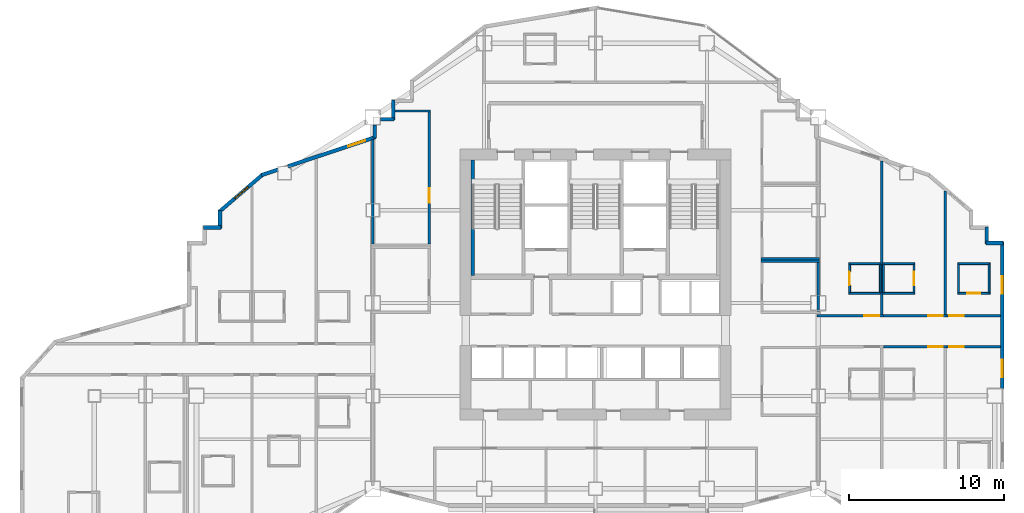
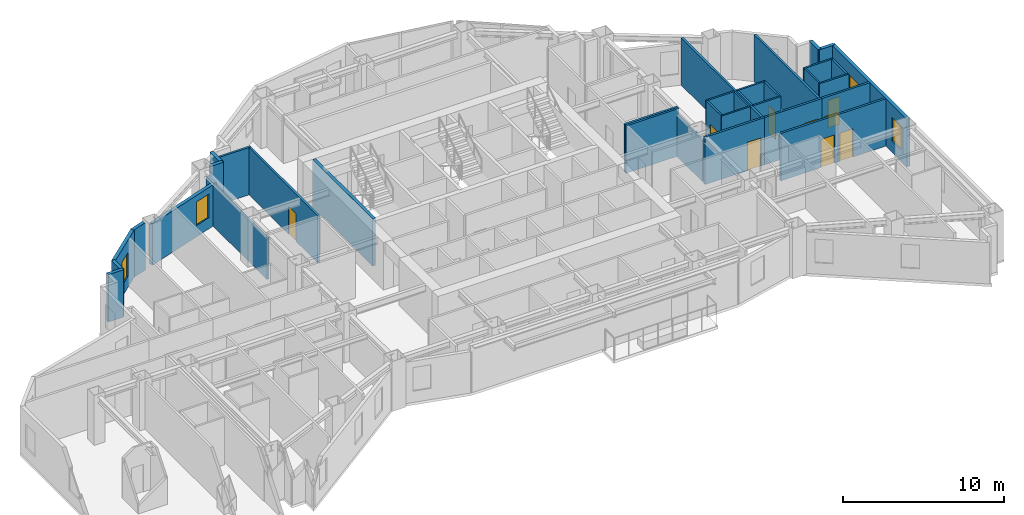
# One storey, part 11 of 15: 37 walls, 9 doors, 4 windows, 13 openings.
"""IFC4 building model written with IfcOpenShell, lengths in metres."""

from ifc_helpers import new_model, si_unit, direction, frame, frame_2d, origin, place, context, subcontext, project, spatial, rectangle, extrude, material, layer, layer_set, type_object, element, fill, save


model = new_model("IFC4")

# Units and contexts
model_context = context("Model", 3, precision=1e-05, world=origin(), true_north=direction((0.0, 1.0)))
body_context = subcontext(model_context, "Body", "Model", "MODEL_VIEW")
ifc_project = project(units=[si_unit("LENGTHUNIT", "METRE"), si_unit("AREAUNIT", "SQUARE_METRE"), si_unit("VOLUMEUNIT", "CUBIC_METRE"), si_unit("PLANEANGLEUNIT", "RADIAN"), si_unit("MASSUNIT", "GRAM", prefix="KILO")], contexts=[model_context])

# Site, building, storey
site_placement = place(None, origin())
site = spatial("IfcSite", under=ifc_project, at=site_placement, CompositionType="ELEMENT")
building_placement = place(site_placement, origin())
building = spatial("IfcBuilding", under=site, at=building_placement, Name="Haolan Belvedere Tower", CompositionType="ELEMENT")
storey_placement = place(building_placement, frame((0.0, 0.0, 152.39990234375)))
storey = spatial("IfcBuildingStorey", under=building, at=storey_placement, Name="L38", CompositionType="ELEMENT", Elevation=152.39990234375)

# Wall, openings, windows
ifc_material_1 = material(Name="Precast concrete C40/50", Category="concrete")
ifc_layer_1 = layer(ifc_material_1, 0.239990234375, Name="Precast concrete C40/50")
ifc_layer_set_1 = layer_set([ifc_layer_1], Name="Precast concrete C40/50")
wall_type_1 = type_object("IfcWallType", Name="WL-EXT-240", PredefinedType="SOLIDWALL", material=ifc_layer_set_1)
wall_1_placement = place(storey_placement, frame((64.679931640625, 28.092041015625, 0.0), z_axis=(0.0, 0.0, 1.0), x_axis=(0.0, 1.0, 0.0)))
wall_1 = element("IfcWall", 1, at=wall_1_placement, inside=storey, type_object=wall_type_1, Name="L38 pale-metal exterior spandrel wall 14.2", PredefinedType="SOLIDWALL", context=body_context, shape_type="SweptSolid", body=[
    extrude(rectangle(XDim=9.44287109375, YDim=0.239990234375, at=frame_2d((4.721435546875, 0.0))), origin(), (0.0, 0.0, 1.0), 3.60009765625),
])
opening_1_placement = place(wall_1_placement, frame((0.699951171875, 0.0, 0.85009765625)))
opening_1 = element("IfcOpeningElement", 2, at=opening_1_placement, cuts=wall_1, Name="Opening W-02", PredefinedType="OPENING", context=body_context, shape_type="SweptSolid", body=[
    extrude(rectangle(XDim=1.14990234375, YDim=1.800048828125, at=frame_2d((0.574951171875, 0.89990234375))), frame((0.0, 0.1298828125, 0.0), z_axis=(0.0, -1.0, 0.0), x_axis=(1.0, 0.0, 0.0)), (0.0, 0.0, 1.0), 0.260009765625),
])
opening_2_placement = place(wall_1_placement, frame((6.10009765625, 0.0, 0.85009765625)))
opening_2 = element("IfcOpeningElement", 3, at=opening_2_placement, cuts=wall_1, Name="Opening W-02", PredefinedType="OPENING", context=body_context, shape_type="SweptSolid", body=[
    extrude(rectangle(XDim=1.14990234375, YDim=1.800048828125, at=frame_2d((0.574951171875, 0.89990234375))), frame((0.0, 0.1298828125, 0.0), z_axis=(0.0, -1.0, 0.0), x_axis=(1.0, 0.0, 0.0)), (0.0, 0.0, 1.0), 0.260009765625),
])
ifc_material_2 = material(Name="Anodised aluminium 6063-T6 and Low-E glass", Category="aluminium")
window_type = type_object("IfcWindowType", Name="WN-DECO-Z2", PartitioningType="SINGLE_PANEL", PredefinedType="WINDOW", material=ifc_material_2)
window_1_placement = place(opening_1_placement, origin())
window_1 = element("IfcWindow", 4, at=window_1_placement, inside=storey, type_object=window_type, Name="L38 Art Deco chevron window 1", OverallHeight=1.800048828125, OverallWidth=1.14990234375, PartitioningType="SINGLE_PANEL", PredefinedType="WINDOW", context=body_context, shape_type="SweptSolid", body=[
    extrude(rectangle(XDim=1.14990234375, YDim=1.800048828125, at=frame_2d((0.574951171875, 0.89990234375))), frame((0.0, 0.030029296875, 0.0), z_axis=(0.0, -1.0, 0.0), x_axis=(1.0, 0.0, 0.0)), (0.0, 0.0, 1.0), 0.06005859375),
])
fill(opening_1, window_1)
window_2_placement = place(opening_2_placement, origin())
window_2 = element("IfcWindow", 5, at=window_2_placement, inside=storey, type_object=window_type, Name="L38 Art Deco chevron window 2", OverallHeight=1.800048828125, OverallWidth=1.14990234375, PartitioningType="SINGLE_PANEL", PredefinedType="WINDOW", context=body_context, shape_type="SweptSolid", body=[
    extrude(rectangle(XDim=1.14990234375, YDim=1.800048828125, at=frame_2d((0.574951171875, 0.89990234375))), frame((0.0, 0.030029296875, 0.0), z_axis=(0.0, -1.0, 0.0), x_axis=(1.0, 0.0, 0.0)), (0.0, 0.0, 1.0), 0.06005859375),
])
fill(opening_2, window_2)

# Walls
wall_2_placement = place(storey_placement, frame((64.735107421875, 37.47998046875, 0.0), z_axis=(0.0, 0.0, 1.0), x_axis=(-1.0, 0.0, 0.0)))
element("IfcWall", 6, at=wall_2_placement, inside=storey, type_object=wall_type_1, Name="L38 pale-metal exterior spandrel wall 15.1", PredefinedType="SOLIDWALL", context=body_context, shape_type="SweptSolid", body=[
    extrude(rectangle(XDim=1.110107421875, YDim=0.239990234375, at=frame_2d((0.55517578125, 0.0))), origin(), (0.0, 0.0, 1.0), 3.60009765625),
])
wall_3_placement = place(storey_placement, frame((63.679931640625, 37.425048828125, 0.0), z_axis=(0.0, 0.0, 1.0), x_axis=(0.0, 1.0, 0.0)))
element("IfcWall", 7, at=wall_3_placement, inside=storey, type_object=wall_type_1, Name="L38 pale-metal exterior spandrel wall 16.1", PredefinedType="SOLIDWALL", context=body_context, shape_type="SweptSolid", body=[
    extrude(rectangle(XDim=1.10986328125, YDim=0.239990234375, at=frame_2d((0.554931640625, 0.0))), origin(), (0.0, 0.0, 1.0), 3.60009765625),
])
wall_4_placement = place(storey_placement, frame((25.320068359375, 46.735107421875, 0.0), z_axis=(0.0, 0.0, 1.0), x_axis=(0.0, -1.0, 0.0)))
element("IfcWall", 8, at=wall_4_placement, inside=storey, type_object=wall_type_1, Name="L38 pale-metal exterior spandrel wall 32.1", PredefinedType="SOLIDWALL", context=body_context, shape_type="SweptSolid", body=[
    extrude(rectangle(XDim=1.31005859375, YDim=0.239990234375, at=frame_2d((0.655029296875, 0.0))), origin(), (0.0, 0.0, 1.0), 3.60009765625),
])
wall_5_placement = place(storey_placement, frame((25.375, 45.47998046875, 0.0), z_axis=(0.0, 0.0, 1.0), x_axis=(-1.0, 0.0, 0.0)))
element("IfcWall", 9, at=wall_5_placement, inside=storey, type_object=wall_type_1, Name="L38 pale-metal exterior spandrel wall 33.1", PredefinedType="SOLIDWALL", context=body_context, shape_type="SweptSolid", body=[
    extrude(rectangle(XDim=0.883056640625, YDim=0.239990234375, at=frame_2d((0.44140625, 0.0))), origin(), (0.0, 0.0, 1.0), 3.60009765625),
])
wall_6_placement = place(storey_placement, frame((24.1201171875, 45.10791015625, 0.0), z_axis=(0.0, 0.0, 1.0), x_axis=(0.0, -1.0, 0.0)))
element("IfcWall", 10, at=wall_6_placement, inside=storey, type_object=wall_type_1, Name="L38 pale-metal exterior spandrel wall 34.1", PredefinedType="SOLIDWALL", context=body_context, shape_type="SweptSolid", body=[
    extrude(rectangle(XDim=0.849365234375, YDim=0.239990234375, at=frame_2d((0.4248046875, 0.0))), origin(), (0.0, 0.0, 1.0), 3.14501953125),
])

# Wall, opening, window
wall_7_placement = place(storey_placement, frame((24.172119140625, 44.330810546875, 0.0), z_axis=(0.0, 0.0, 1.0), x_axis=(-0.948683298051, -0.316227766017, 0.0)))
wall_7 = element("IfcWall", 11, at=wall_7_placement, inside=storey, type_object=wall_type_1, Name="L38 pale-metal exterior spandrel wall 35.1", PredefinedType="SOLIDWALL", context=body_context, shape_type="SweptSolid", body=[
    extrude(rectangle(XDim=5.973388671875, YDim=0.239990234375, at=frame_2d((2.98681640625, 0.0))), origin(), (0.0, 0.0, 1.0), 3.14501953125),
])
opening_3_placement = place(wall_7_placement, frame((0.699951171875, 0.0, 0.85009765625)))
opening_3 = element("IfcOpeningElement", 12, at=opening_3_placement, cuts=wall_7, Name="Opening W-02", PredefinedType="OPENING", context=body_context, shape_type="SweptSolid", body=[
    extrude(rectangle(XDim=1.14990234375, YDim=1.800048828125, at=frame_2d((0.574951171875, 0.89990234375))), frame((0.0, 0.1298828125, 0.0), z_axis=(0.0, -1.0, 0.0), x_axis=(1.0, 0.0, 0.0)), (0.0, 0.0, 1.0), 0.260009765625),
])
window_3_placement = place(opening_3_placement, origin())
window_3 = element("IfcWindow", 13, at=window_3_placement, inside=storey, type_object=window_type, Name="L38 Art Deco chevron window 1", OverallHeight=1.800048828125, OverallWidth=1.14990234375, PartitioningType="SINGLE_PANEL", PredefinedType="WINDOW", context=body_context, shape_type="SweptSolid", body=[
    extrude(rectangle(XDim=1.14990234375, YDim=1.800048828125, at=frame_2d((0.574951171875, 0.89990234375))), frame((0.0, 0.030029296875, 0.0), z_axis=(0.0, -1.0, 0.0), x_axis=(1.0, 0.0, 0.0)), (0.0, 0.0, 1.0), 0.06005859375),
])
fill(opening_3, window_3)

# Wall
wall_8_placement = place(storey_placement, frame((17.85791015625, 42.226318359375, 0.0), z_axis=(0.0, 0.0, 1.0), x_axis=(-0.948639166064, -0.316360131194, 0.0)))
element("IfcWall", 14, at=wall_8_placement, inside=storey, type_object=wall_type_1, Name="L38 pale-metal exterior spandrel wall 35.2", PredefinedType="SOLIDWALL", context=body_context, shape_type="SweptSolid", body=[
    extrude(rectangle(XDim=1.106689453125, YDim=0.239990234375, at=frame_2d((0.55322265625, 0.0))), origin(), (0.0, 0.0, 1.0), 3.60009765625),
])

# Wall, opening, window
wall_9_placement = place(storey_placement, frame((16.902099609375, 41.929443359375, 0.0), z_axis=(0.0, 0.0, 1.0), x_axis=(-0.759275136126, -0.650769750112, 0.0)))
wall_9 = element("IfcWall", 15, at=wall_9_placement, inside=storey, type_object=wall_type_1, Name="L38 pale-metal exterior spandrel wall 36.1", PredefinedType="SOLIDWALL", context=body_context, shape_type="SweptSolid", body=[
    extrude(rectangle(XDim=3.71923828125, YDim=0.239990234375, at=frame_2d((1.859619140625, 0.0))), origin(), (0.0, 0.0, 1.0), 3.60009765625),
])
opening_4_placement = place(wall_9_placement, frame((1.2626953125, 0.0, 0.85009765625)))
opening_4 = element("IfcOpeningElement", 16, at=opening_4_placement, cuts=wall_9, Name="Opening W-02", PredefinedType="OPENING", context=body_context, shape_type="SweptSolid", body=[
    extrude(rectangle(XDim=1.14990234375, YDim=1.800048828125, at=frame_2d((0.574951171875, 0.89990234375))), frame((0.0, 0.1298828125, 0.0), z_axis=(0.0, -1.0, 0.0), x_axis=(1.0, 0.0, 0.0)), (0.0, 0.0, 1.0), 0.260009765625),
])
window_4_placement = place(opening_4_placement, origin())
window_4 = element("IfcWindow", 17, at=window_4_placement, inside=storey, type_object=window_type, Name="L38 Art Deco chevron window 1", OverallHeight=1.800048828125, OverallWidth=1.14990234375, PartitioningType="SINGLE_PANEL", PredefinedType="WINDOW", context=body_context, shape_type="SweptSolid", body=[
    extrude(rectangle(XDim=1.14990234375, YDim=1.800048828125, at=frame_2d((0.574951171875, 0.89990234375))), frame((0.0, 0.030029296875, 0.0), z_axis=(0.0, -1.0, 0.0), x_axis=(1.0, 0.0, 0.0)), (0.0, 0.0, 1.0), 0.06005859375),
])
fill(opening_4, window_4)

# Walls
wall_10_placement = place(storey_placement, frame((14.1201171875, 39.599853515625, 0.0), z_axis=(0.0, 0.0, 1.0), x_axis=(0.0, -1.0, 0.0)))
element("IfcWall", 18, at=wall_10_placement, inside=storey, type_object=wall_type_1, Name="L38 pale-metal exterior spandrel wall 37.1", PredefinedType="SOLIDWALL", context=body_context, shape_type="SweptSolid", body=[
    extrude(rectangle(XDim=1.1748046875, YDim=0.239990234375, at=frame_2d((0.58740234375, 0.0))), origin(), (0.0, 0.0, 1.0), 3.60009765625),
])
wall_11_placement = place(storey_placement, frame((14.175048828125, 38.47998046875, 0.0), z_axis=(0.0, 0.0, 1.0), x_axis=(-1.0, 0.0, 0.0)))
element("IfcWall", 19, at=wall_11_placement, inside=storey, type_object=wall_type_1, Name="L38 pale-metal exterior spandrel wall 38.1", PredefinedType="SOLIDWALL", context=body_context, shape_type="SweptSolid", body=[
    extrude(rectangle(XDim=1.110107421875, YDim=0.239990234375, at=frame_2d((0.55517578125, 0.0))), origin(), (0.0, 0.0, 1.0), 3.60009765625),
])
ifc_material_3 = material(Name="Double gypsum acoustic stud partition", Category="masonry")
ifc_layer_2 = layer(ifc_material_3, 0.14990234375, Name="Double gypsum acoustic stud partition")
ifc_layer_set_2 = layer_set([ifc_layer_2], Name="Double gypsum acoustic stud partition")
wall_type_2 = type_object("IfcWallType", Name="WL-PART-150", PredefinedType="PARTITIONING", material=ifc_layer_set_2)
wall_12_placement = place(storey_placement, frame((25.425048828125, 46.02001953125, 0.0), z_axis=(0.0, 0.0, 1.0), x_axis=(1.0, 0.0, 0.0)))
element("IfcWall", 20, at=wall_12_placement, inside=storey, type_object=wall_type_2, Name="L38 interior partition IW-L38-MTG-N", PredefinedType="PARTITIONING", context=body_context, shape_type="SweptSolid", body=[
    extrude(rectangle(XDim=2.294921875, YDim=0.14990234375, at=frame_2d((1.1474609375, 0.0))), origin(), (0.0, 0.0, 1.0), 3.60009765625),
])
wall_13_placement = place(storey_placement, frame((24.0, 37.419921875, 0.0), z_axis=(0.0, 0.0, 1.0), x_axis=(0.0, 1.0, 0.0)))
element("IfcWall", 21, at=wall_13_placement, inside=storey, type_object=wall_type_2, Name="L38 interior partition IW-L38-MTG-W", PredefinedType="PARTITIONING", context=body_context, shape_type="SweptSolid", body=[
    extrude(rectangle(XDim=6.742919921875, YDim=0.14990234375, at=frame_2d((3.37158203125, 0.0))), origin(), (0.0, 0.0, 1.0), 3.14501953125),
])

# Wall, opening, door
wall_14_placement = place(storey_placement, frame((27.639892578125, 37.419921875, 0.0), z_axis=(0.0, 0.0, 1.0), x_axis=(0.0, 1.0, 0.0)))
wall_14 = element("IfcWall", 22, at=wall_14_placement, inside=storey, type_object=wall_type_2, Name="L38 interior partition IW-L38-MTG-E", PredefinedType="PARTITIONING", context=body_context, shape_type="SweptSolid", body=[
    extrude(rectangle(XDim=8.5400390625, YDim=0.14990234375, at=frame_2d((4.27001953125, 0.0))), origin(), (0.0, 0.0, 1.0), 3.60009765625),
])
opening_5_placement = place(wall_14_placement, frame((3.60986328125, 0.0, 0.0), z_axis=(0.0, 0.0, 1.0), x_axis=(-1.0, 0.0, 0.0)))
opening_5 = element("IfcOpeningElement", 23, at=opening_5_placement, cuts=wall_14, Name="Opening ID-03", PredefinedType="OPENING", context=body_context, shape_type="SweptSolid", body=[
    extrude(rectangle(XDim=0.949951171875, YDim=2.1201171875, at=frame_2d((0.47509765625, 1.06005859375))), frame((0.0, 0.0849609375, 0.0), z_axis=(0.0, -1.0, 0.0), x_axis=(1.0, 0.0, 0.0)), (0.0, 0.0, 1.0), 0.169921875),
])
ifc_material_4 = material(Name="Painted solid-core timber", Category="wood")
door_type_1 = type_object("IfcDoorType", Name="DR-INT-950", OperationType="NOTDEFINED", PredefinedType="DOOR", material=ifc_material_4)
door_1_placement = place(opening_5_placement, origin())
door_1 = element("IfcDoor", 24, at=door_1_placement, inside=storey, type_object=door_type_1, Name="L38 door ID-L38-MTG", OperationType="SINGLE_SWING_RIGHT", OverallHeight=2.1201171875, OverallWidth=0.949951171875, PredefinedType="DOOR", context=body_context, shape_type="SweptSolid", body=[
    extrude(rectangle(XDim=0.949951171875, YDim=2.1201171875, at=frame_2d((0.47509765625, 1.06005859375))), frame((0.0, 0.02490234375, 0.0), z_axis=(0.0, -1.0, 0.0), x_axis=(1.0, 0.0, 0.0)), (0.0, 0.0, 1.0), 0.050048828125),
])
fill(opening_5, door_1)

# Walls
wall_15_placement = place(storey_placement, frame((49.080078125, 36.300048828125, 0.0), z_axis=(0.0, 0.0, 1.0), x_axis=(1.0, 0.0, 0.0)))
element("IfcWall", 25, at=wall_15_placement, inside=storey, type_object=wall_type_2, Name="L38 interior partition IW-L38-AWC-N", PredefinedType="PARTITIONING", context=body_context, shape_type="SweptSolid", body=[
    extrude(rectangle(XDim=3.7998046875, YDim=0.14990234375, at=frame_2d((1.89990234375, 0.0))), origin(), (0.0, 0.0, 1.0), 3.60009765625),
])
wall_16_placement = place(storey_placement, frame((52.800048828125, 33.06005859375, 0.0), z_axis=(0.0, 0.0, 1.0), x_axis=(0.0, 1.0, 0.0)))
element("IfcWall", 26, at=wall_16_placement, inside=storey, type_object=wall_type_2, Name="L38 interior partition IW-L38-AWC-E", PredefinedType="PARTITIONING", context=body_context, shape_type="SweptSolid", body=[
    extrude(rectangle(XDim=3.179931640625, YDim=0.14990234375, at=frame_2d((1.58984375, 0.0))), origin(), (0.0, 0.0, 1.0), 3.14501953125),
])
wall_17_placement = place(storey_placement, frame((49.080078125, 36.4599609375, 0.0), z_axis=(0.0, 0.0, 1.0), x_axis=(1.0, 0.0, 0.0)))
element("IfcWall", 27, at=wall_17_placement, inside=storey, type_object=wall_type_2, Name="L38 interior partition IW-L38-STY-S", PredefinedType="PARTITIONING", context=body_context, shape_type="SweptSolid", body=[
    extrude(rectangle(XDim=3.7998046875, YDim=0.14990234375, at=frame_2d((1.89990234375, 0.0))), origin(), (0.0, 0.0, 1.0), 3.60009765625),
])

# Wall, opening, door
wall_18_placement = place(storey_placement, frame((52.699951171875, 32.780029296875, 0.0), z_axis=(0.0, 0.0, 1.0), x_axis=(1.0, 0.0, 0.0)))
wall_18 = element("IfcWall", 28, at=wall_18_placement, inside=storey, type_object=wall_type_2, Name="L38 interior partition IW-L38-T4N1-S", PredefinedType="PARTITIONING", context=body_context, shape_type="SweptSolid", body=[
    extrude(rectangle(XDim=4.300048828125, YDim=0.14990234375, at=frame_2d((2.14990234375, 0.0))), origin(), (0.0, 0.0, 1.0), 3.60009765625),
])
opening_6_placement = place(wall_18_placement, frame((3.081787109375, 0.0, 0.0)))
opening_6 = element("IfcOpeningElement", 29, at=opening_6_placement, cuts=wall_18, Name="Opening ID-02", PredefinedType="OPENING", context=body_context, shape_type="SweptSolid", body=[
    extrude(rectangle(XDim=0.949951171875, YDim=2.14990234375, at=frame_2d((0.47509765625, 1.074951171875))), frame((0.0, 0.0849609375, 0.0), z_axis=(0.0, -1.0, 0.0), x_axis=(1.0, 0.0, 0.0)), (0.0, 0.0, 1.0), 0.169921875),
])
ifc_material_5 = material(Name="Acoustic oak veneer fire-rated timber", Category="wood")
door_type_2 = type_object("IfcDoorType", Name="DR-GUEST-950", OperationType="NOTDEFINED", PredefinedType="DOOR", material=ifc_material_5)
door_2_placement = place(opening_6_placement, origin())
door_2 = element("IfcDoor", 30, at=door_2_placement, inside=storey, type_object=door_type_2, Name="L38 door ID-L38-T4N1-ENT", OperationType="SINGLE_SWING_RIGHT", OverallHeight=2.14990234375, OverallWidth=0.949951171875, PredefinedType="DOOR", context=body_context, shape_type="SweptSolid", body=[
    extrude(rectangle(XDim=0.949951171875, YDim=2.14990234375, at=frame_2d((0.47509765625, 1.074951171875))), frame((0.0, 0.02490234375, 0.0), z_axis=(0.0, -1.0, 0.0), x_axis=(1.0, 0.0, 0.0)), (0.0, 0.0, 1.0), 0.050048828125),
])
fill(opening_6, door_2)

# Wall
wall_19_placement = place(storey_placement, frame((56.89990234375, 32.840087890625, 0.0), z_axis=(0.0, 0.0, 1.0), x_axis=(0.0, 1.0, 0.0)))
element("IfcWall", 31, at=wall_19_placement, inside=storey, type_object=wall_type_2, Name="L38 interior partition IW-L38-T4N1-E", PredefinedType="PARTITIONING", context=body_context, shape_type="SweptSolid", body=[
    extrude(rectangle(XDim=9.9560546875, YDim=0.14990234375, at=frame_2d((4.97802734375, 0.0))), origin(), (0.0, 0.0, 1.0), 3.60009765625),
])

# Wall, opening, door
wall_20_placement = place(storey_placement, frame((57.001953125, 32.780029296875, 0.0), z_axis=(0.0, 0.0, 1.0), x_axis=(1.0, 0.0, 0.0)))
wall_20 = element("IfcWall", 32, at=wall_20_placement, inside=storey, type_object=wall_type_2, Name="L38 interior partition IW-L38-T4N2-S", PredefinedType="PARTITIONING", context=body_context, shape_type="SweptSolid", body=[
    extrude(rectangle(XDim=4.108154296875, YDim=0.14990234375, at=frame_2d((2.05419921875, 0.0))), origin(), (0.0, 0.0, 1.0), 3.60009765625),
])
opening_7_placement = place(wall_20_placement, frame((2.896484375, 0.0, 0.0)))
opening_7 = element("IfcOpeningElement", 33, at=opening_7_placement, cuts=wall_20, Name="Opening ID-02", PredefinedType="OPENING", context=body_context, shape_type="SweptSolid", body=[
    extrude(rectangle(XDim=0.949951171875, YDim=2.14990234375, at=frame_2d((0.47509765625, 1.074951171875))), frame((0.0, 0.0849609375, 0.0), z_axis=(0.0, -1.0, 0.0), x_axis=(1.0, 0.0, 0.0)), (0.0, 0.0, 1.0), 0.169921875),
])
door_3_placement = place(opening_7_placement, origin())
door_3 = element("IfcDoor", 34, at=door_3_placement, inside=storey, type_object=door_type_2, Name="L38 door ID-L38-T4N2-ENT", OperationType="SINGLE_SWING_LEFT", OverallHeight=2.14990234375, OverallWidth=0.949951171875, PredefinedType="DOOR", context=body_context, shape_type="SweptSolid", body=[
    extrude(rectangle(XDim=0.949951171875, YDim=2.14990234375, at=frame_2d((0.47509765625, 1.074951171875))), frame((0.0, 0.02490234375, 0.0), z_axis=(0.0, -1.0, 0.0), x_axis=(1.0, 0.0, 0.0)), (0.0, 0.0, 1.0), 0.050048828125),
])
fill(opening_7, door_3)

# Wall
wall_21_placement = place(storey_placement, frame((61.010009765625, 32.840087890625, 0.0), z_axis=(0.0, 0.0, 1.0), x_axis=(0.0, 1.0, 0.0)))
element("IfcWall", 35, at=wall_21_placement, inside=storey, type_object=wall_type_2, Name="L38 interior partition IW-L38-T4N2-E", PredefinedType="PARTITIONING", context=body_context, shape_type="SweptSolid", body=[
    extrude(rectangle(XDim=7.997802734375, YDim=0.14990234375, at=frame_2d((3.9990234375, 0.0))), origin(), (0.0, 0.0, 1.0), 3.60009765625),
])

# Wall, opening, door
wall_22_placement = place(storey_placement, frame((61.112060546875, 32.780029296875, 0.0), z_axis=(0.0, 0.0, 1.0), x_axis=(1.0, 0.0, 0.0)))
wall_22 = element("IfcWall", 36, at=wall_22_placement, inside=storey, type_object=wall_type_2, Name="L38 interior partition IW-L38-T4N3-S", PredefinedType="PARTITIONING", context=body_context, shape_type="SweptSolid", body=[
    extrude(rectangle(XDim=3.462890625, YDim=0.14990234375, at=frame_2d((1.7314453125, 0.0))), origin(), (0.0, 0.0, 1.0), 3.60009765625),
])
opening_8_placement = place(wall_22_placement, frame((0.139892578125, 0.0, 0.0)))
opening_8 = element("IfcOpeningElement", 37, at=opening_8_placement, cuts=wall_22, Name="Opening ID-02", PredefinedType="OPENING", context=body_context, shape_type="SweptSolid", body=[
    extrude(rectangle(XDim=0.949951171875, YDim=2.14990234375, at=frame_2d((0.47509765625, 1.074951171875))), frame((0.0, 0.0849609375, 0.0), z_axis=(0.0, -1.0, 0.0), x_axis=(1.0, 0.0, 0.0)), (0.0, 0.0, 1.0), 0.169921875),
])
door_4_placement = place(opening_8_placement, origin())
door_4 = element("IfcDoor", 38, at=door_4_placement, inside=storey, type_object=door_type_2, Name="L38 door ID-L38-T4N3-ENT", OperationType="SINGLE_SWING_RIGHT", OverallHeight=2.14990234375, OverallWidth=0.949951171875, PredefinedType="DOOR", context=body_context, shape_type="SweptSolid", body=[
    extrude(rectangle(XDim=0.949951171875, YDim=2.14990234375, at=frame_2d((0.47509765625, 1.074951171875))), frame((0.0, 0.02490234375, 0.0), z_axis=(0.0, -1.0, 0.0), x_axis=(1.0, 0.0, 0.0)), (0.0, 0.0, 1.0), 0.050048828125),
])
fill(opening_8, door_4)

wall_23_placement = place(storey_placement, frame((57.001953125, 30.77001953125, 0.0), z_axis=(0.0, 0.0, 1.0), x_axis=(1.0, 0.0, 0.0)))
wall_23 = element("IfcWall", 39, at=wall_23_placement, inside=storey, type_object=wall_type_2, Name="L38 interior partition IW-L38-T4S2-N", PredefinedType="PARTITIONING", context=body_context, shape_type="SweptSolid", body=[
    extrude(rectangle(XDim=4.108154296875, YDim=0.14990234375, at=frame_2d((2.05419921875, 0.0))), origin(), (0.0, 0.0, 1.0), 3.60009765625),
])
opening_9_placement = place(wall_23_placement, frame((3.846435546875, 0.0, 0.0), z_axis=(0.0, 0.0, 1.0), x_axis=(-1.0, 0.0, 0.0)))
opening_9 = element("IfcOpeningElement", 40, at=opening_9_placement, cuts=wall_23, Name="Opening ID-02", PredefinedType="OPENING", context=body_context, shape_type="SweptSolid", body=[
    extrude(rectangle(XDim=0.949951171875, YDim=2.14990234375, at=frame_2d((0.47509765625, 1.074951171875))), frame((0.0, 0.0849609375, 0.0), z_axis=(0.0, -1.0, 0.0), x_axis=(1.0, 0.0, 0.0)), (0.0, 0.0, 1.0), 0.169921875),
])
door_5_placement = place(opening_9_placement, origin())
door_5 = element("IfcDoor", 41, at=door_5_placement, inside=storey, type_object=door_type_2, Name="L38 door ID-L38-T4S2-ENT", OperationType="SINGLE_SWING_RIGHT", OverallHeight=2.14990234375, OverallWidth=0.949951171875, PredefinedType="DOOR", context=body_context, shape_type="SweptSolid", body=[
    extrude(rectangle(XDim=0.949951171875, YDim=2.14990234375, at=frame_2d((0.47509765625, 1.074951171875))), frame((0.0, 0.02490234375, 0.0), z_axis=(0.0, -1.0, 0.0), x_axis=(1.0, 0.0, 0.0)), (0.0, 0.0, 1.0), 0.050048828125),
])
fill(opening_9, door_5)

wall_24_placement = place(storey_placement, frame((61.112060546875, 30.77001953125, 0.0), z_axis=(0.0, 0.0, 1.0), x_axis=(1.0, 0.0, 0.0)))
wall_24 = element("IfcWall", 42, at=wall_24_placement, inside=storey, type_object=wall_type_2, Name="L38 interior partition IW-L38-T4S3-N", PredefinedType="PARTITIONING", context=body_context, shape_type="SweptSolid", body=[
    extrude(rectangle(XDim=3.462890625, YDim=0.14990234375, at=frame_2d((1.7314453125, 0.0))), origin(), (0.0, 0.0, 1.0), 3.60009765625),
])
opening_10_placement = place(wall_24_placement, frame((1.08984375, 0.0, 0.0), z_axis=(0.0, 0.0, 1.0), x_axis=(-1.0, 0.0, 0.0)))
opening_10 = element("IfcOpeningElement", 43, at=opening_10_placement, cuts=wall_24, Name="Opening ID-02", PredefinedType="OPENING", context=body_context, shape_type="SweptSolid", body=[
    extrude(rectangle(XDim=0.949951171875, YDim=2.14990234375, at=frame_2d((0.47509765625, 1.074951171875))), frame((0.0, 0.0849609375, 0.0), z_axis=(0.0, -1.0, 0.0), x_axis=(1.0, 0.0, 0.0)), (0.0, 0.0, 1.0), 0.169921875),
])
door_6_placement = place(opening_10_placement, origin())
door_6 = element("IfcDoor", 44, at=door_6_placement, inside=storey, type_object=door_type_2, Name="L38 door ID-L38-T4S3-ENT", OperationType="SINGLE_SWING_LEFT", OverallHeight=2.14990234375, OverallWidth=0.949951171875, PredefinedType="DOOR", context=body_context, shape_type="SweptSolid", body=[
    extrude(rectangle(XDim=0.949951171875, YDim=2.14990234375, at=frame_2d((0.47509765625, 1.074951171875))), frame((0.0, 0.02490234375, 0.0), z_axis=(0.0, -1.0, 0.0), x_axis=(1.0, 0.0, 0.0)), (0.0, 0.0, 1.0), 0.050048828125),
])
fill(opening_10, door_6)

# Walls
ifc_material_6 = material(Name="Concrete C50/60", Category="concrete")
ifc_layer_3 = layer(ifc_material_6, 0.219970703125, Name="Concrete C50/60")
ifc_layer_set_3 = layer_set([ifc_layer_3], Name="Concrete C50/60")
wall_type_3 = type_object("IfcWallType", Name="WL-STAIR-220", PredefinedType="SHEAR", material=ifc_layer_set_3)
wall_25_placement = place(storey_placement, frame((30.4619140625, 35.389892578125, 0.0), z_axis=(0.0, 0.0, 1.0), x_axis=(0.0, 1.0, 0.0)))
element("IfcWall", 45, at=wall_25_placement, inside=storey, type_object=wall_type_3, Name="L38 structural stair core wall ST1W", PredefinedType="SHEAR", context=body_context, shape_type="SweptSolid", body=[
    extrude(rectangle(XDim=7.460205078125, YDim=0.219970703125, at=frame_2d((3.72998046875, 0.0))), origin(), (0.0, 0.0, 1.0), 3.60009765625),
])
ifc_material_7 = material(Name="Moisture-resistant gypsum tile partition", Category="masonry")
ifc_layer_4 = layer(ifc_material_7, 0.1201171875, Name="Moisture-resistant gypsum tile partition")
ifc_layer_set_4 = layer_set([ifc_layer_4], Name="Moisture-resistant gypsum tile partition")
wall_type_4 = type_object("IfcWallType", Name="WL-WET-120", PredefinedType="PARTITIONING", material=ifc_layer_set_4)
for number, where, z_axis, x_axis, name in (
    (46, (54.760009765625, 36.14990234375, 0.0), (0.0, 0.0, 1.0), (1.0, 0.0, 0.0), "L38 interior partition IW-L38-T4N1-BN"),
    (47, (54.760009765625, 34.22998046875, 0.0), (0.0, 0.0, 1.0), (1.0, 0.0, 0.0), "L38 interior partition IW-L38-T4N1-BS"),
):
    element("IfcWall", number, at=place(storey_placement, frame(where, z_axis=z_axis, x_axis=x_axis)), inside=storey, type_object=wall_type_4, Name=name, PredefinedType="PARTITIONING", context=body_context, shape_type="SweptSolid", body=[
        extrude(rectangle(XDim=2.080078125, YDim=0.1201171875, at=frame_2d((1.0400390625, 0.0))), origin(), (0.0, 0.0, 1.0), 3.60009765625),
    ])

# Wall, opening, door
wall_26_placement = place(storey_placement, frame((54.820068359375, 34.27490234375, 0.0), z_axis=(0.0, 0.0, 1.0), x_axis=(0.0, 1.0, 0.0)))
wall_26 = element("IfcWall", 48, at=wall_26_placement, inside=storey, type_object=wall_type_4, Name="L38 interior partition IW-L38-T4N1-BW", PredefinedType="PARTITIONING", context=body_context, shape_type="SweptSolid", body=[
    extrude(rectangle(XDim=1.830078125, YDim=0.1201171875, at=frame_2d((0.9150390625, 0.0))), origin(), (0.0, 0.0, 1.0), 3.60009765625),
])
opening_11_placement = place(wall_26_placement, frame((1.340087890625, 0.0, 0.0), z_axis=(0.0, 0.0, 1.0), x_axis=(-1.0, 0.0, 0.0)))
opening_11 = element("IfcOpeningElement", 49, at=opening_11_placement, cuts=wall_26, Name="Opening ID-05", PredefinedType="OPENING", context=body_context, shape_type="SweptSolid", body=[
    extrude(rectangle(XDim=0.85009765625, YDim=2.10009765625, at=frame_2d((0.425048828125, 1.050048828125))), frame((0.0, 0.070068359375, 0.0), z_axis=(0.0, -1.0, 0.0), x_axis=(1.0, 0.0, 0.0)), (0.0, 0.0, 1.0), 0.14013671875),
])
ifc_material_8 = material(Name="Moisture-resistant lacquered timber", Category="wood")
door_type_3 = type_object("IfcDoorType", Name="DR-BATH-850", OperationType="NOTDEFINED", PredefinedType="DOOR", material=ifc_material_8)
door_7_placement = place(opening_11_placement, origin())
door_7 = element("IfcDoor", 50, at=door_7_placement, inside=storey, type_object=door_type_3, Name="L38 door ID-L38-T4N1-BATH", OperationType="SINGLE_SWING_LEFT", OverallHeight=2.10009765625, OverallWidth=0.85009765625, PredefinedType="DOOR", context=body_context, shape_type="SweptSolid", body=[
    extrude(rectangle(XDim=0.85009765625, YDim=2.10009765625, at=frame_2d((0.425048828125, 1.050048828125))), frame((0.0, 0.02490234375, 0.0), z_axis=(0.0, -1.0, 0.0), x_axis=(1.0, 0.0, 0.0)), (0.0, 0.0, 1.0), 0.050048828125),
])
fill(opening_11, door_7)

# Walls
wall_27_placement = place(storey_placement, frame((56.800048828125, 34.27490234375, 0.0), z_axis=(0.0, 0.0, 1.0), x_axis=(0.0, 1.0, 0.0)))
element("IfcWall", 51, at=wall_27_placement, inside=storey, type_object=wall_type_4, Name="L38 interior partition IW-L38-T4N1-BE", PredefinedType="PARTITIONING", context=body_context, shape_type="SweptSolid", body=[
    extrude(rectangle(XDim=1.830078125, YDim=0.1201171875, at=frame_2d((0.9150390625, 0.0))), origin(), (0.0, 0.0, 1.0), 3.60009765625),
])
for number, where, z_axis, x_axis, name in (
    (52, (56.9599609375, 36.14990234375, 0.0), (0.0, 0.0, 1.0), (1.0, 0.0, 0.0), "L38 interior partition IW-L38-T4N2-BN"),
    (53, (56.9599609375, 34.22998046875, 0.0), (0.0, 0.0, 1.0), (1.0, 0.0, 0.0), "L38 interior partition IW-L38-T4N2-BS"),
):
    element("IfcWall", number, at=place(storey_placement, frame(where, z_axis=z_axis, x_axis=x_axis)), inside=storey, type_object=wall_type_4, Name=name, PredefinedType="PARTITIONING", context=body_context, shape_type="SweptSolid", body=[
        extrude(rectangle(XDim=2.080078125, YDim=0.1201171875, at=frame_2d((1.0400390625, 0.0))), origin(), (0.0, 0.0, 1.0), 3.60009765625),
    ])
wall_28_placement = place(storey_placement, frame((57.0, 34.27490234375, 0.0), z_axis=(0.0, 0.0, 1.0), x_axis=(0.0, 1.0, 0.0)))
element("IfcWall", 54, at=wall_28_placement, inside=storey, type_object=wall_type_4, Name="L38 interior partition IW-L38-T4N2-BW", PredefinedType="PARTITIONING", context=body_context, shape_type="SweptSolid", body=[
    extrude(rectangle(XDim=1.830078125, YDim=0.1201171875, at=frame_2d((0.9150390625, 0.0))), origin(), (0.0, 0.0, 1.0), 3.60009765625),
])

# Wall, opening, door
wall_29_placement = place(storey_placement, frame((58.97998046875, 34.27490234375, 0.0), z_axis=(0.0, 0.0, 1.0), x_axis=(0.0, 1.0, 0.0)))
wall_29 = element("IfcWall", 55, at=wall_29_placement, inside=storey, type_object=wall_type_4, Name="L38 interior partition IW-L38-T4N2-BE", PredefinedType="PARTITIONING", context=body_context, shape_type="SweptSolid", body=[
    extrude(rectangle(XDim=1.830078125, YDim=0.1201171875, at=frame_2d((0.9150390625, 0.0))), origin(), (0.0, 0.0, 1.0), 3.60009765625),
])
opening_12_placement = place(wall_29_placement, frame((0.489990234375, 0.0, 0.0)))
opening_12 = element("IfcOpeningElement", 56, at=opening_12_placement, cuts=wall_29, Name="Opening ID-05", PredefinedType="OPENING", context=body_context, shape_type="SweptSolid", body=[
    extrude(rectangle(XDim=0.85009765625, YDim=2.10009765625, at=frame_2d((0.425048828125, 1.050048828125))), frame((0.0, 0.070068359375, 0.0), z_axis=(0.0, -1.0, 0.0), x_axis=(1.0, 0.0, 0.0)), (0.0, 0.0, 1.0), 0.14013671875),
])
door_8_placement = place(opening_12_placement, origin())
door_8 = element("IfcDoor", 57, at=door_8_placement, inside=storey, type_object=door_type_3, Name="L38 door ID-L38-T4N2-BATH", OperationType="SINGLE_SWING_RIGHT", OverallHeight=2.10009765625, OverallWidth=0.85009765625, PredefinedType="DOOR", context=body_context, shape_type="SweptSolid", body=[
    extrude(rectangle(XDim=0.85009765625, YDim=2.10009765625, at=frame_2d((0.425048828125, 1.050048828125))), frame((0.0, 0.02490234375, 0.0), z_axis=(0.0, -1.0, 0.0), x_axis=(1.0, 0.0, 0.0)), (0.0, 0.0, 1.0), 0.050048828125),
])
fill(opening_12, door_8)

# Wall
wall_30_placement = place(storey_placement, frame((61.797119140625, 36.14990234375, 0.0), z_axis=(0.0, 0.0, 1.0), x_axis=(1.0, 0.0, 0.0)))
element("IfcWall", 58, at=wall_30_placement, inside=storey, type_object=wall_type_4, Name="L38 interior partition IW-L38-T4N3-BN", PredefinedType="PARTITIONING", context=body_context, shape_type="SweptSolid", body=[
    extrude(rectangle(XDim=2.099853515625, YDim=0.1201171875, at=frame_2d((1.0498046875, 0.0))), origin(), (0.0, 0.0, 1.0), 3.60009765625),
])

# Wall, opening, door
wall_31_placement = place(storey_placement, frame((61.797119140625, 34.22998046875, 0.0), z_axis=(0.0, 0.0, 1.0), x_axis=(1.0, 0.0, 0.0)))
wall_31 = element("IfcWall", 59, at=wall_31_placement, inside=storey, type_object=wall_type_4, Name="L38 interior partition IW-L38-T4N3-BS", PredefinedType="PARTITIONING", context=body_context, shape_type="SweptSolid", body=[
    extrude(rectangle(XDim=2.099853515625, YDim=0.1201171875, at=frame_2d((1.0498046875, 0.0))), origin(), (0.0, 0.0, 1.0), 3.60009765625),
])
opening_13_placement = place(wall_31_placement, frame((0.625, 0.0, 0.0)))
opening_13 = element("IfcOpeningElement", 60, at=opening_13_placement, cuts=wall_31, Name="Opening ID-05", PredefinedType="OPENING", context=body_context, shape_type="SweptSolid", body=[
    extrude(rectangle(XDim=0.85009765625, YDim=2.10009765625, at=frame_2d((0.425048828125, 1.050048828125))), frame((0.0, 0.070068359375, 0.0), z_axis=(0.0, -1.0, 0.0), x_axis=(1.0, 0.0, 0.0)), (0.0, 0.0, 1.0), 0.14013671875),
])
door_9_placement = place(opening_13_placement, origin())
door_9 = element("IfcDoor", 61, at=door_9_placement, inside=storey, type_object=door_type_3, Name="L38 door ID-L38-T4N3-BATH", OperationType="SINGLE_SWING_LEFT", OverallHeight=2.10009765625, OverallWidth=0.85009765625, PredefinedType="DOOR", context=body_context, shape_type="SweptSolid", body=[
    extrude(rectangle(XDim=0.85009765625, YDim=2.10009765625, at=frame_2d((0.425048828125, 1.050048828125))), frame((0.0, 0.02490234375, 0.0), z_axis=(0.0, -1.0, 0.0), x_axis=(1.0, 0.0, 0.0)), (0.0, 0.0, 1.0), 0.050048828125),
])
fill(opening_13, door_9)

# Walls
for number, where, z_axis, x_axis, name in (
    (62, (61.85693359375, 34.27490234375, 0.0), (0.0, 0.0, 1.0), (0.0, 1.0, 0.0), "L38 interior partition IW-L38-T4N3-BW"),
    (63, (63.8369140625, 34.27490234375, 0.0), (0.0, 0.0, 1.0), (0.0, 1.0, 0.0), "L38 interior partition IW-L38-T4N3-BE"),
):
    element("IfcWall", number, at=place(storey_placement, frame(where, z_axis=z_axis, x_axis=x_axis)), inside=storey, type_object=wall_type_4, Name=name, PredefinedType="PARTITIONING", context=body_context, shape_type="SweptSolid", body=[
        extrude(rectangle(XDim=1.830078125, YDim=0.1201171875, at=frame_2d((0.9150390625, 0.0))), origin(), (0.0, 0.0, 1.0), 3.60009765625),
    ])

save(model, "model.ifc")
